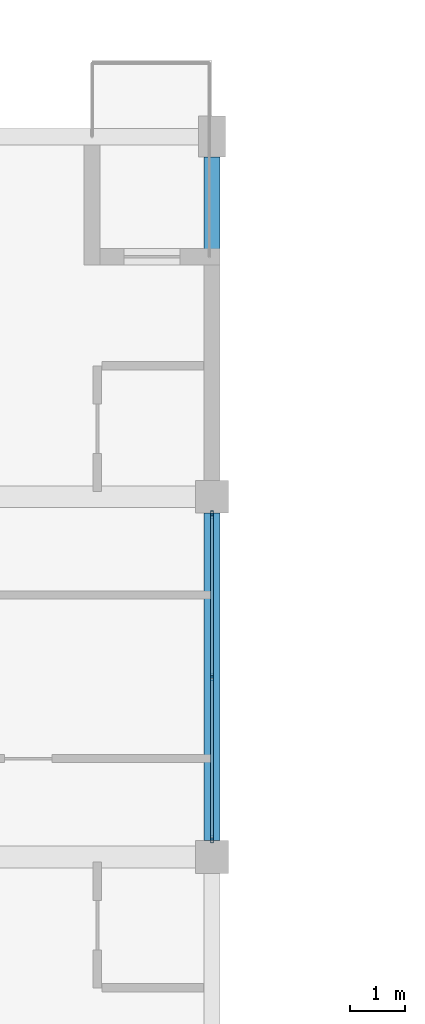
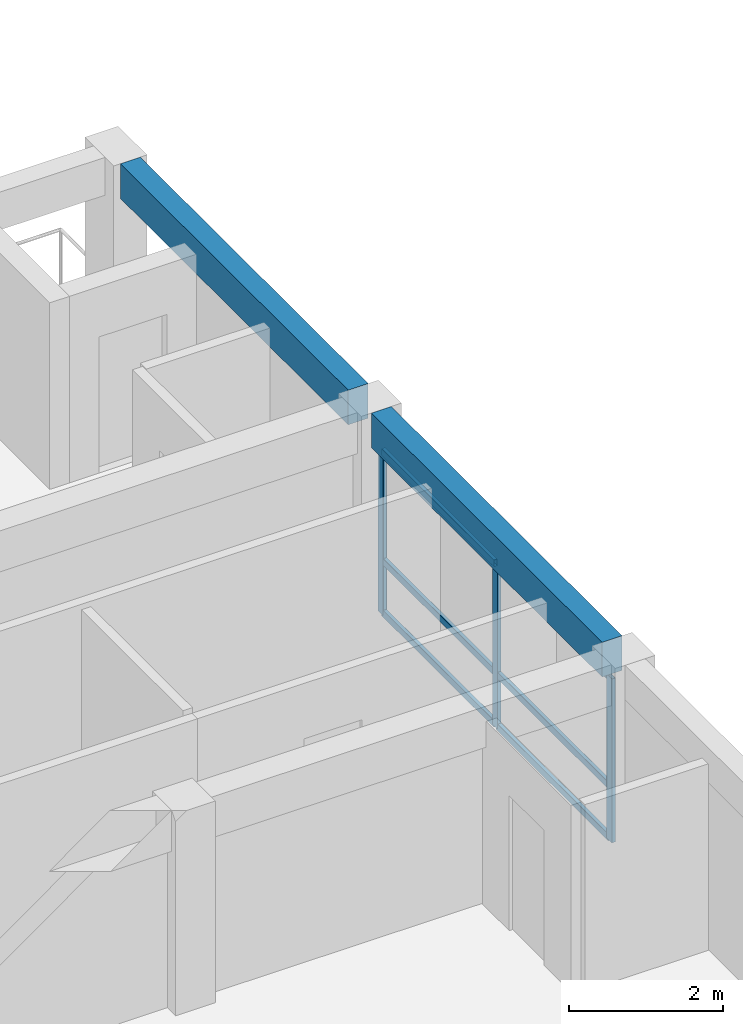
# One storey, part 17 of 52: 9 members, 2 beams, 1 element without a shape of its own.
"""IFC4 building model written with IfcOpenShell, lengths in metres."""

from ifc_helpers import new_model, si_unit, direction, frame, origin, origin_2d, place, context, subcontext, project, spatial, rectangle, hollow_rectangle, extrude, material, material_profile, profile_set, type_object, element, aggregate, save


model = new_model("IFC4")

# Units and contexts
model_context = context("Model", 3, precision=1e-05, world=origin(), true_north=direction((0.0, 1.0)))
body_context = subcontext(model_context, "Body", "Model", "MODEL_VIEW")
ifc_project = project(units=[si_unit("LENGTHUNIT", "METRE"), si_unit("AREAUNIT", "SQUARE_METRE"), si_unit("VOLUMEUNIT", "CUBIC_METRE"), si_unit("PLANEANGLEUNIT", "RADIAN"), si_unit("MASSUNIT", "GRAM", prefix="KILO")], contexts=[model_context])

# Site, building, storey
site_placement = place(None, origin())
site = spatial("IfcSite", under=ifc_project, at=site_placement, CompositionType="ELEMENT")
building_placement = place(site_placement, origin())
building = spatial("IfcBuilding", under=site, at=building_placement, Name="Kernevlak Ridge Housing Community", CompositionType="ELEMENT")
storey_placement = place(building_placement, frame((0.0, 0.0, 11.60009765625)))
storey = spatial("IfcBuildingStorey", under=building, at=storey_placement, Name="L03", CompositionType="ELEMENT", Elevation=11.60009765625)

# Curtain wall, members
ifc_material_1 = material(Name="Aluminium EN AW-6060 anodised and laminated glass", Category="aluminium")
curtain_wall_type = type_object("IfcCurtainWallType", Name="CW-09", PredefinedType="NOTDEFINED", material=ifc_material_1)
curtain_wall_placement = place(storey_placement, origin())
curtain_wall = element("IfcCurtainWall", 1, at=curtain_wall_placement, inside=storey, type_object=curtain_wall_type, Name="Curtain wall CW-09 CW-L03-012", PredefinedType="NOTDEFINED")
ifc_material_2 = material(Name="Aluminium EN AW-6060 anodised", Category="aluminium")
ifc_material_profile_1 = material_profile(ifc_material_2, hollow_rectangle(XDim=0.054931640625, YDim=0.139892578125, WallThickness=0.00390625, InnerFilletRadius=0.001953125, OuterFilletRadius=0.00390625, at=origin_2d()), Name="ALU 55x140x4")
ifc_profile_set_1 = profile_set([ifc_material_profile_1], Name="Aluminium EN AW-6060 anodised")
member_type_1 = type_object("IfcMemberType", Name="MU-01", PredefinedType="MULLION", material=ifc_profile_set_1)
member_1_placement = place(storey_placement, frame((48.60009765625, 82.927490234375, 0.0), z_axis=(0.0, 0.0, 1.0), x_axis=(-1.0, 0.0, 0.0)))
member_1 = element("IfcMember", 2, at=member_1_placement, type_object=member_type_1, Name="CW-09 mullion 1", PredefinedType="MULLION", context=body_context, shape_type="SweptSolid", body=[
    extrude(hollow_rectangle(XDim=0.054931640625, YDim=0.139892578125, WallThickness=0.00390625, InnerFilletRadius=0.001953125, OuterFilletRadius=0.00390625, at=origin_2d()), origin(), (0.0, 0.0, 1.0), 2.599853515625),
])
member_2_placement = place(storey_placement, frame((48.60009765625, 85.89990234375, 0.0), z_axis=(0.0, 0.0, 1.0), x_axis=(-1.0, 0.0, 0.0)))
member_2 = element("IfcMember", 3, at=member_2_placement, type_object=member_type_1, Name="CW-09 mullion 2", PredefinedType="MULLION", context=body_context, shape_type="SweptSolid", body=[
    extrude(hollow_rectangle(XDim=0.054931640625, YDim=0.139892578125, WallThickness=0.00390625, InnerFilletRadius=0.001953125, OuterFilletRadius=0.00390625, at=origin_2d()), origin(), (0.0, 0.0, 1.0), 2.599853515625),
])
member_3_placement = place(storey_placement, frame((48.60009765625, 88.87255859375, 0.0), z_axis=(0.0, 0.0, 1.0), x_axis=(-1.0, 0.0, 0.0)))
member_3 = element("IfcMember", 4, at=member_3_placement, type_object=member_type_1, Name="CW-09 mullion 3", PredefinedType="MULLION", context=body_context, shape_type="SweptSolid", body=[
    extrude(hollow_rectangle(XDim=0.054931640625, YDim=0.139892578125, WallThickness=0.00390625, InnerFilletRadius=0.001953125, OuterFilletRadius=0.00390625, at=origin_2d()), origin(), (0.0, 0.0, 1.0), 2.599853515625),
])

# Beams
ifc_material_3 = material(Name="Concrete C35/45", Category="concrete")
ifc_material_profile_2 = material_profile(ifc_material_3, rectangle(XDim=0.300048828125, YDim=0.550048828125, at=origin_2d()), Name="RC 300x550")
ifc_profile_set_2 = profile_set([ifc_material_profile_2], Name="Concrete C35/45")
beam_type = type_object("IfcBeamType", Name="SP-01", PredefinedType="SPANDREL", material=ifc_profile_set_2)
beam_1_placement = place(storey_placement, frame((48.60009765625, 82.89990234375, 2.9248046875), z_axis=(0.0, 1.0, 0.0), x_axis=(-1.0, 0.0, 0.0)))
element("IfcBeam", 5, at=beam_1_placement, inside=storey, type_object=beam_type, Name="Beam SP-01 L03 159", PredefinedType="SPANDREL", context=body_context, shape_type="SweptSolid", body=[
    extrude(rectangle(XDim=0.300048828125, YDim=0.550048828125, at=origin_2d()), origin(), (0.0, 0.0, 1.0), 6.0),
])
beam_2_placement = place(storey_placement, frame((48.60009765625, 89.5, 2.9248046875), z_axis=(0.0, 1.0, 0.0), x_axis=(-1.0, 0.0, 0.0)))
element("IfcBeam", 6, at=beam_2_placement, inside=storey, type_object=beam_type, Name="Beam SP-01 L03 160", PredefinedType="SPANDREL", context=body_context, shape_type="SweptSolid", body=[
    extrude(rectangle(XDim=0.300048828125, YDim=0.550048828125, at=origin_2d()), origin(), (0.0, 0.0, 1.0), 5.925048828125),
])

# Member
ifc_material_profile_3 = material_profile(ifc_material_2, hollow_rectangle(XDim=0.054931640625, YDim=0.110107421875, WallThickness=0.00390625, InnerFilletRadius=0.001953125, OuterFilletRadius=0.00390625, at=origin_2d()), Name="ALU 55x110x4")
ifc_profile_set_3 = profile_set([ifc_material_profile_3], Name="Aluminium EN AW-6060 anodised")
member_type_2 = type_object("IfcMemberType", Name="TM-01", PredefinedType="USERDEFINED", material=ifc_profile_set_3)
member_4_placement = place(storey_placement, frame((48.60009765625, 82.955078125, 0.02734375), z_axis=(0.0, 1.0, 0.0), x_axis=(-1.0, 0.0, 0.0)))
member_4 = element("IfcMember", 7, at=member_4_placement, type_object=member_type_2, Name="CW-09 transom 1.1", ObjectType="TRANSOM", PredefinedType="USERDEFINED", context=body_context, shape_type="SweptSolid", body=[
    extrude(hollow_rectangle(XDim=0.054931640625, YDim=0.110107421875, WallThickness=0.00390625, InnerFilletRadius=0.001953125, OuterFilletRadius=0.00390625, at=origin_2d()), origin(), (0.0, 0.0, 1.0), 2.91748046875),
])

member_5_placement = place(storey_placement, frame((48.60009765625, 82.955078125, 0.849853515625), z_axis=(0.0, 1.0, 0.0), x_axis=(-1.0, 0.0, 0.0)))
member_5 = element("IfcMember", 8, at=member_5_placement, type_object=member_type_2, Name="CW-09 transom 1.2", ObjectType="TRANSOM", PredefinedType="USERDEFINED", context=body_context, shape_type="SweptSolid", body=[
    extrude(hollow_rectangle(XDim=0.054931640625, YDim=0.110107421875, WallThickness=0.00390625, InnerFilletRadius=0.001953125, OuterFilletRadius=0.00390625, at=origin_2d()), origin(), (0.0, 0.0, 1.0), 2.91748046875),
])

member_6_placement = place(storey_placement, frame((48.60009765625, 82.955078125, 2.572509765625), z_axis=(0.0, 1.0, 0.0), x_axis=(-1.0, 0.0, 0.0)))
member_6 = element("IfcMember", 9, at=member_6_placement, type_object=member_type_2, Name="CW-09 transom 1.3", ObjectType="TRANSOM", PredefinedType="USERDEFINED", context=body_context, shape_type="SweptSolid", body=[
    extrude(hollow_rectangle(XDim=0.054931640625, YDim=0.110107421875, WallThickness=0.00390625, InnerFilletRadius=0.001953125, OuterFilletRadius=0.00390625, at=origin_2d()), origin(), (0.0, 0.0, 1.0), 2.91748046875),
])

member_7_placement = place(storey_placement, frame((48.60009765625, 85.927490234375, 0.02734375), z_axis=(0.0, 1.0, 0.0), x_axis=(-1.0, 0.0, 0.0)))
member_7 = element("IfcMember", 10, at=member_7_placement, type_object=member_type_2, Name="CW-09 transom 2.1", ObjectType="TRANSOM", PredefinedType="USERDEFINED", context=body_context, shape_type="SweptSolid", body=[
    extrude(hollow_rectangle(XDim=0.054931640625, YDim=0.110107421875, WallThickness=0.00390625, InnerFilletRadius=0.001953125, OuterFilletRadius=0.00390625, at=origin_2d()), origin(), (0.0, 0.0, 1.0), 2.91748046875),
])

member_8_placement = place(storey_placement, frame((48.60009765625, 85.927490234375, 0.849853515625), z_axis=(0.0, 1.0, 0.0), x_axis=(-1.0, 0.0, 0.0)))
member_8 = element("IfcMember", 11, at=member_8_placement, type_object=member_type_2, Name="CW-09 transom 2.2", ObjectType="TRANSOM", PredefinedType="USERDEFINED", context=body_context, shape_type="SweptSolid", body=[
    extrude(hollow_rectangle(XDim=0.054931640625, YDim=0.110107421875, WallThickness=0.00390625, InnerFilletRadius=0.001953125, OuterFilletRadius=0.00390625, at=origin_2d()), origin(), (0.0, 0.0, 1.0), 2.91748046875),
])

member_9_placement = place(storey_placement, frame((48.60009765625, 85.927490234375, 2.572509765625), z_axis=(0.0, 1.0, 0.0), x_axis=(-1.0, 0.0, 0.0)))
member_9 = element("IfcMember", 12, at=member_9_placement, type_object=member_type_2, Name="CW-09 transom 2.3", ObjectType="TRANSOM", PredefinedType="USERDEFINED", context=body_context, shape_type="SweptSolid", body=[
    extrude(hollow_rectangle(XDim=0.054931640625, YDim=0.110107421875, WallThickness=0.00390625, InnerFilletRadius=0.001953125, OuterFilletRadius=0.00390625, at=origin_2d()), origin(), (0.0, 0.0, 1.0), 2.91748046875),
])

aggregate(curtain_wall, [member_1, member_2, member_3, member_4, member_5, member_6, member_7, member_8, member_9])

save(model, "model.ifc")
